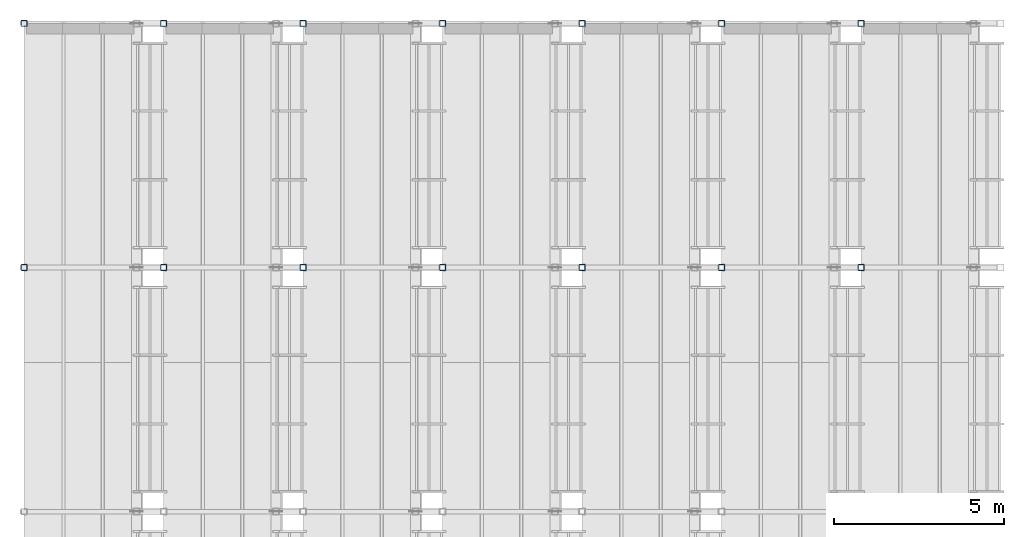
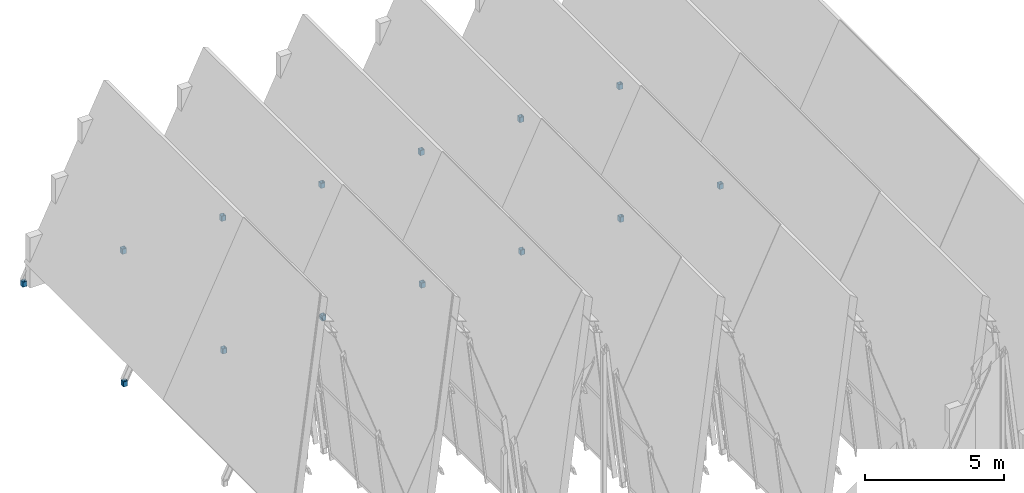
# One storey, part 13 of 28: 14 members.
"""IFC4 building model written with IfcOpenShell, lengths in metres."""

from ifc_helpers import new_model, si_unit, direction, frame, origin, origin_2d, place, context, subcontext, project, spatial, hollow_rectangle, extrude, material, material_profile, profile_set, type_object, element, save


model = new_model("IFC4")

# Units and contexts
model_context = context("Model", 3, precision=1e-05, world=origin(), true_north=direction((0.0, 1.0)))
body_context = subcontext(model_context, "Body", "Model", "MODEL_VIEW")
ifc_project = project(units=[si_unit("LENGTHUNIT", "METRE"), si_unit("AREAUNIT", "SQUARE_METRE"), si_unit("VOLUMEUNIT", "CUBIC_METRE"), si_unit("PLANEANGLEUNIT", "RADIAN"), si_unit("MASSUNIT", "GRAM", prefix="KILO")], contexts=[model_context])

# Site, building, storey
site_placement = place(None, origin())
site = spatial("IfcSite", under=ifc_project, at=site_placement, CompositionType="ELEMENT")
building_placement = place(site_placement, origin())
building = spatial("IfcBuilding", under=site, at=building_placement, Name="Bramveld Media Centre", CompositionType="ELEMENT")
storey_placement = place(building_placement, frame((0.0, 0.0, 33.89990234375)))
storey = spatial("IfcBuildingStorey", under=building, at=storey_placement, Name="ROOF", CompositionType="ELEMENT", Elevation=33.89990234375)

# Members
ifc_material = material(Name="Steel S355J2H", Category="steel")
ifc_material_profile = material_profile(ifc_material, hollow_rectangle(XDim=0.179931640625, YDim=0.179931640625, WallThickness=0.010009765625, InnerFilletRadius=0.010009765625, OuterFilletRadius=0.02001953125, at=origin_2d()), Name="SHS 180x180x10")
ifc_profile_set = profile_set([ifc_material_profile], Name="Steel S355J2H")
member_type = type_object("IfcMemberType", Name="MEM-POST-SHS180", PredefinedType="POST", material=ifc_profile_set)
for number, where, z_axis, x_axis, name in (
    (1, (131.199951171875, 104.800048828125, -0.0498046875), (0.0, 0.0, 1.0), (1.0, 0.0, 0.0), "CRN-FR-B01-F4 gable eave post"),
    (2, (131.199951171875, 112.0, -0.0498046875), (0.0, 0.0, 1.0), (1.0, 0.0, 0.0), "CRN-FR-B01-F5 gable eave post"),
    (3, (135.314208984375, 104.800048828125, -0.0498046875), (0.0, 0.0, 1.0), (1.0, 0.0, 0.0), "CRN-FR-B02-F4 gable eave post"),
    (4, (135.314208984375, 112.0, -0.0498046875), (0.0, 0.0, 1.0), (1.0, 0.0, 0.0), "CRN-FR-B02-F5 gable eave post"),
    (5, (139.4287109375, 104.800048828125, -0.0498046875), (0.0, 0.0, 1.0), (1.0, 0.0, 0.0), "CRN-FR-B03-F4 gable eave post"),
    (6, (139.4287109375, 112.0, -0.0498046875), (0.0, 0.0, 1.0), (1.0, 0.0, 0.0), "CRN-FR-B03-F5 gable eave post"),
    (7, (143.54296875, 104.800048828125, -0.0498046875), (0.0, 0.0, 1.0), (1.0, 0.0, 0.0), "CRN-FR-B04-F4 gable eave post"),
    (8, (143.54296875, 112.0, -0.0498046875), (0.0, 0.0, 1.0), (1.0, 0.0, 0.0), "CRN-FR-B04-F5 gable eave post"),
    (9, (147.656982421875, 104.800048828125, -0.0498046875), (0.0, 0.0, 1.0), (1.0, 0.0, 0.0), "CRN-FR-B05-F4 gable eave post"),
    (10, (147.656982421875, 112.0, -0.0498046875), (0.0, 0.0, 1.0), (1.0, 0.0, 0.0), "CRN-FR-B05-F5 gable eave post"),
    (11, (151.771484375, 104.800048828125, -0.0498046875), (0.0, 0.0, 1.0), (1.0, 0.0, 0.0), "CRN-FR-B06-F4 gable eave post"),
    (12, (151.771484375, 112.0, -0.0498046875), (0.0, 0.0, 1.0), (1.0, 0.0, 0.0), "CRN-FR-B06-F5 gable eave post"),
    (13, (155.8857421875, 104.800048828125, -0.0498046875), (0.0, 0.0, 1.0), (1.0, 0.0, 0.0), "CRN-FR-B07-F4 gable eave post"),
    (14, (155.8857421875, 112.0, -0.0498046875), (0.0, 0.0, 1.0), (1.0, 0.0, 0.0), "CRN-FR-B07-F5 gable eave post"),
):
    element("IfcMember", number, at=place(storey_placement, frame(where, z_axis=z_axis, x_axis=x_axis)), inside=storey, type_object=member_type, Name=name, PredefinedType="POST", context=body_context, shape_type="SweptSolid", body=[
        extrude(hollow_rectangle(XDim=0.179931640625, YDim=0.179931640625, WallThickness=0.010009765625, InnerFilletRadius=0.010009765625, OuterFilletRadius=0.02001953125, at=origin_2d()), origin(), (0.0, 0.0, 1.0), 0.224609375),
    ])

save(model, "model.ifc")
